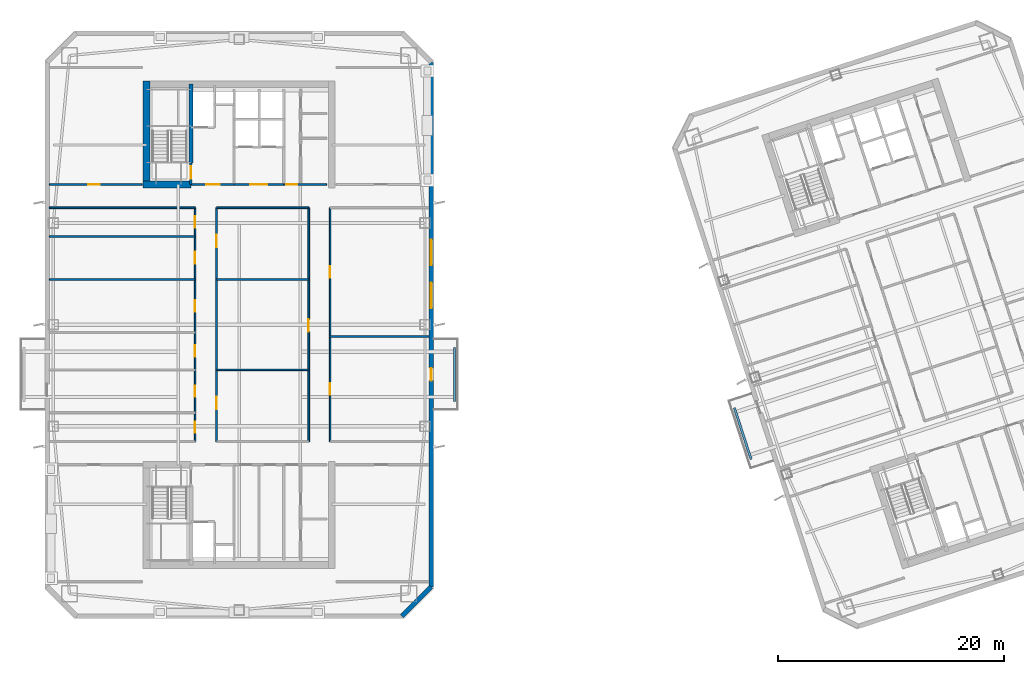
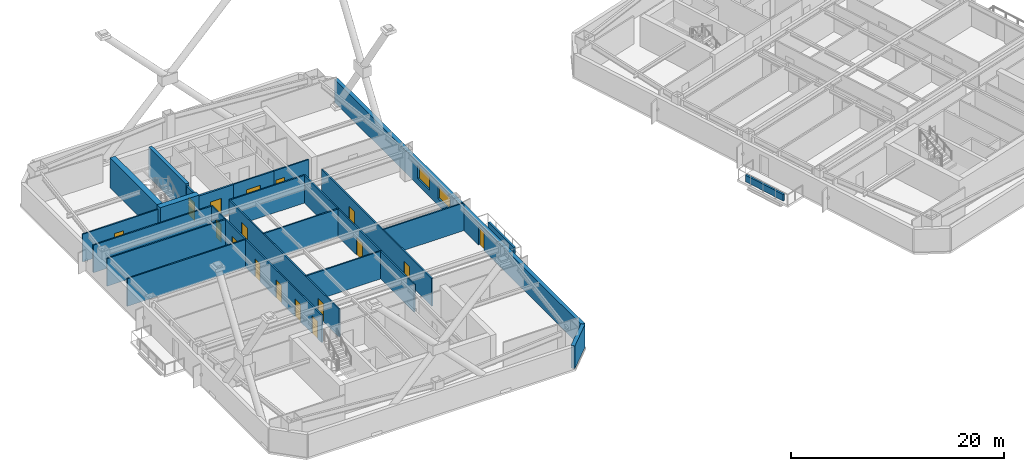
# One storey, part 7 of 18: 23 walls, 17 doors, 2 windows, 19 openings.
"""IFC4 building model written with IfcOpenShell, lengths in metres."""

import ifcopenshell
import ifcopenshell.guid

model = None  # the IFC model being written
_history = None  # IfcOwnerHistory: only IFC2X3 demands one
_inside = {}  # id of a spatial element -> (the spatial element, [elements in it])
_under = {}  # id of a project, library or spatial element -> (it, [spatial elements below it])
_declared = {}  # id of a project -> (the project, [libraries it declares])
_typed = {}  # id of a type object -> (the type object, [elements of that type])
_made_of = {}  # id of a material, layer set ... -> (it, [elements and type objects made of it])


def new_model(schema):
    """Start an empty IFC model of exactly this schema.

    Asked for "IFC4X3", IfcOpenShell would pick the latest addendum, in which some entities
    have other attributes; the version numbers below select the first issue.
    IFC2X3 requires an IfcOwnerHistory on every rooted entity: one is made here for all.
    """
    global model, _history
    if schema == "IFC4X3":
        model = ifcopenshell.file(schema_version=(4, 3, 0, 0))
    else:
        model = ifcopenshell.file(schema=schema)
    _inside.clear()
    _under.clear()
    _declared.clear()
    _typed.clear()
    _made_of.clear()
    _history = None
    if model.schema == "IFC2X3":
        org = make("IfcOrganization", Name="unknown")
        user = make(
            "IfcPersonAndOrganization",
            ThePerson=make("IfcPerson", FamilyName="unknown"),
            TheOrganization=org,
        )
        app = make(
            "IfcApplication",
            ApplicationDeveloper=org,
            Version="unknown",
            ApplicationFullName="unknown",
            ApplicationIdentifier="unknown",
        )
        _history = make(
            "IfcOwnerHistory",
            OwningUser=user,
            OwningApplication=app,
            ChangeAction="ADDED",
            CreationDate=0,
        )
    return model


def make(cls, **values):
    """One entity of the class cls with the attributes given. An attribute that is None is left unset."""
    return model.create_entity(
        cls, **{name: value for name, value in values.items() if value is not None}
    )


def rooted(cls, **values):
    """An entity with a GlobalId (a new one), such as an element, a storey or a relation."""
    return make(cls, GlobalId=ifcopenshell.guid.new(), OwnerHistory=_history, **values)


def si_unit(unit_type, name, prefix=None):
    """IfcSIUnit, for example si_unit("LENGTHUNIT", "METRE", prefix="MILLI")."""
    return make("IfcSIUnit", UnitType=unit_type, Prefix=prefix, Name=name)


def assignment(units):
    """IfcUnitAssignment: the units of a project."""
    return None if units is None else make("IfcUnitAssignment", Units=units)


def point(xyz):
    """IfcCartesianPoint."""
    return None if xyz is None else make("IfcCartesianPoint", Coordinates=xyz)


def direction(xyz):
    """IfcDirection."""
    return None if xyz is None else make("IfcDirection", DirectionRatios=xyz)


def frame(location, z_axis=None, x_axis=None):
    """IfcAxis2Placement3D, a coordinate frame: its origin and axes. An axis left out is left unset."""
    return make(
        "IfcAxis2Placement3D",
        Location=point(location),
        Axis=direction(z_axis),
        RefDirection=direction(x_axis),
    )


def frame_2d(location, x_axis=None):
    """IfcAxis2Placement2D, a coordinate frame in the plane: its origin and x axis."""
    return make(
        "IfcAxis2Placement2D", Location=point(location), RefDirection=direction(x_axis)
    )


def origin():
    """The frame at (0, 0, 0) with its axes left unset."""
    return frame((0.0, 0.0, 0.0))


def place(relative_to, where):
    """IfcLocalPlacement: puts the frame where relative to a parent placement (None: the world)."""
    return make(
        "IfcLocalPlacement", PlacementRelTo=relative_to, RelativePlacement=where
    )


def context(
    kind, dimensions, precision=None, world=None, true_north=None, identifier=None
):
    """IfcGeometricRepresentationContext, for example the 3D "Model" context."""
    return make(
        "IfcGeometricRepresentationContext",
        ContextIdentifier=identifier,
        ContextType=kind,
        CoordinateSpaceDimension=dimensions,
        Precision=precision,
        WorldCoordinateSystem=world,
        TrueNorth=true_north,
    )


def subcontext(parent, identifier, kind, view, scale=None):
    """IfcGeometricRepresentationSubContext, for example "Body" below "Model"."""
    return make(
        "IfcGeometricRepresentationSubContext",
        ContextIdentifier=identifier,
        ContextType=kind,
        ParentContext=parent,
        TargetScale=scale,
        TargetView=view,
    )


def project(units=None, contexts=None):
    """IfcProject with its units and contexts."""
    return rooted(
        "IfcProject",
        Name="project",
        RepresentationContexts=contexts,
        UnitsInContext=assignment(units),
    )


def spatial(cls, under=None, at=None, **own):
    """A site, building, storey or space (cls), placed at a placement, below another one or the project."""
    s = rooted(cls, ObjectPlacement=at, **own)
    if under is not None:
        _under.setdefault(under.id(), (under, []))[1].append(s)
    return s


def profile(cls, at=None, kind="AREA", **sizes):
    """A parametric profile (cls). Its sizes go by their IFC names, for example OverallWidth=200.0."""
    return make(cls, ProfileType=kind, Position=at, **sizes)


def rectangle(**sizes):
    """IfcRectangleProfileDef."""
    return profile("IfcRectangleProfileDef", **sizes)


def extrude(swept, where, along, depth):
    """IfcExtrudedAreaSolid: the profile swept, set in the frame where, extruded along a direction by depth."""
    return make(
        "IfcExtrudedAreaSolid",
        SweptArea=swept,
        Position=where,
        ExtrudedDirection=direction(along),
        Depth=depth,
    )


def shape(context_of_items, identifier, shape_type, items):
    """IfcShapeRepresentation: the items that make up one representation, for example the "Body"."""
    return make(
        "IfcShapeRepresentation",
        ContextOfItems=context_of_items,
        RepresentationIdentifier=identifier,
        RepresentationType=shape_type,
        Items=items,
    )


def material(Name=None, Category=None):
    """IfcMaterial."""
    return make("IfcMaterial", Name=Name, Category=Category)


def layer(
    of_material, thickness, ventilated=None, Name=None, Category=None, Priority=None
):
    """IfcMaterialLayer: one layer of a wall or slab, of a material (None: an air gap)."""
    return make(
        "IfcMaterialLayer",
        Material=of_material,
        LayerThickness=thickness,
        IsVentilated=ventilated,
        Name=Name,
        Category=Category,
        Priority=Priority,
    )


def layer_set(layers, Name=None):
    """IfcMaterialLayerSet."""
    return make("IfcMaterialLayerSet", MaterialLayers=layers, LayerSetName=Name)


def made_of(thing, what):
    """Note that an element or type object is made of a material, layer set ...; save() writes the relation."""
    if what is not None:
        _made_of.setdefault(what.id(), (what, []))[1].append(thing)
    return thing


def type_object(cls, material=None, **own):
    """A type object (cls), such as IfcWallType, which elements share."""
    return made_of(rooted(cls, **own), material)


def element(
    cls,
    number,
    at=None,
    inside=None,
    cuts=None,
    type_object=None,
    material=None,
    context=None,
    identifier="Body",
    shape_type=None,
    held_by="IfcProductDefinitionShape",
    body=None,
    shapes=None,
    **own,
):
    """One element of the class cls, such as IfcWall. Its Tag is "e" and its number.

    at: its placement. inside: the storey or other place that contains it. cuts: it is an
    opening in that element (IfcRelVoidsElement). A single representation is given by context,
    identifier, shape_type and body (its items); several are given by shapes. held_by: the class
    of the entity that holds the representations. save() writes the other relations.
    """
    e = rooted(cls, Tag="e%d" % number, ObjectPlacement=at, **own)
    if body is not None:
        shapes = [shape(context, identifier, shape_type, body)]
    if shapes is not None:
        e.Representation = make(held_by, Representations=shapes)
    if inside is not None:
        _inside.setdefault(inside.id(), (inside, []))[1].append(e)
    if cuts is not None:
        rooted(
            "IfcRelVoidsElement", RelatingBuildingElement=cuts, RelatedOpeningElement=e
        )
    if type_object is not None:
        _typed.setdefault(type_object.id(), (type_object, []))[1].append(e)
    return made_of(e, material)


def fill(opening, filler):
    """IfcRelFillsElement: the door or window that sits in an opening."""
    return rooted(
        "IfcRelFillsElement",
        RelatingOpeningElement=opening,
        RelatedBuildingElement=filler,
    )


def aggregate(whole, parts):
    """IfcRelAggregates: a whole, such as a stair, and the parts it consists of."""
    return rooted("IfcRelAggregates", RelatingObject=whole, RelatedObjects=parts)


def save(model, path):
    """Write the relations noted so far, then the file.

    IfcRelAggregates (storeys below a building ...), IfcRelContainedInSpatialStructure (elements
    in a storey), IfcRelDefinesByType, IfcRelAssociatesMaterial and IfcRelDeclares: one each for
    every whole, place, type object, material and project.
    """
    for whole, parts in _under.values():
        aggregate(whole, parts)
    for where, things in _inside.values():
        rooted(
            "IfcRelContainedInSpatialStructure",
            RelatedElements=things,
            RelatingStructure=where,
        )
    for kind, things in _typed.values():
        rooted("IfcRelDefinesByType", RelatedObjects=things, RelatingType=kind)
    for what, things in _made_of.values():
        rooted("IfcRelAssociatesMaterial", RelatedObjects=things, RelatingMaterial=what)
    for by, libraries in _declared.values():
        rooted("IfcRelDeclares", RelatingContext=by, RelatedDefinitions=libraries)
    model.write(path)


model = new_model("IFC4")

# Units and contexts
model_context = context("Model", 3, precision=1e-05, world=origin(), true_north=direction((0.0, 1.0)))
body_context = subcontext(model_context, "Body", "Model", "MODEL_VIEW")
ifc_project = project(units=[si_unit("LENGTHUNIT", "METRE"), si_unit("AREAUNIT", "SQUARE_METRE"), si_unit("VOLUMEUNIT", "CUBIC_METRE"), si_unit("PLANEANGLEUNIT", "RADIAN"), si_unit("MASSUNIT", "GRAM", prefix="KILO")], contexts=[model_context])

# Site, building, storey
site_placement = place(None, origin())
site = spatial("IfcSite", under=ifc_project, at=site_placement, CompositionType="ELEMENT")
building_placement = place(site_placement, origin())
building = spatial("IfcBuilding", under=site, at=building_placement, Name="Qiaolan Cultural Towers", CompositionType="ELEMENT")
storey_placement = place(building_placement, frame((0.0, 0.0, 173.64990234375)))
storey = spatial("IfcBuildingStorey", under=building, at=storey_placement, Name="L46", CompositionType="ELEMENT", Elevation=173.64990234375)

# Walls
ifc_material_1 = material(Name="Concrete C50", Category="concrete")
ifc_layer_1 = layer(ifc_material_1, 0.35009765625)
ifc_layer_set_1 = layer_set([ifc_layer_1], Name="Concrete C50")
wall_type_1 = type_object("IfcWallType", Name="WL-CORE-350", PredefinedType="SHEAR", material=ifc_layer_set_1)
wall_1_placement = place(storey_placement, frame((25.719970703125, 48.300048828125, 0.0), z_axis=(0.0, 0.0, 1.0), x_axis=(0.0, 1.0, 0.0)))
element("IfcWall", 1, at=wall_1_placement, inside=storey, type_object=wall_type_1, Name="L46 T1-CN Stair Core Dividing Web", PredefinedType="SHEAR", context=body_context, shape_type="SweptSolid", body=[
    extrude(rectangle(XDim=6.97998046875, YDim=0.35009765625, at=frame_2d((3.489990234375, 0.0))), origin(), (0.0, 0.0, 1.0), 3.4501953125),
])
ifc_material_2 = material(Name="Concrete C55", Category="concrete")
ifc_layer_2 = layer(ifc_material_2, 0.60009765625)
ifc_layer_set_2 = layer_set([ifc_layer_2], Name="Concrete C55")
wall_type_2 = type_object("IfcWallType", Name="WL-CORE-600", PredefinedType="SHEAR", material=ifc_layer_set_2)
wall_2_placement = place(storey_placement, frame((21.800048828125, 46.10009765625, 0.0), z_axis=(0.0, 0.0, 1.0), x_axis=(0.0, 1.0, 0.0)))
element("IfcWall", 2, at=wall_2_placement, inside=storey, type_object=wall_type_2, Name="L46 T1-CN West Core Shear Wall", PredefinedType="SHEAR", context=body_context, shape_type="SweptSolid", body=[
    extrude(rectangle(XDim=9.47998046875, YDim=0.60009765625, at=frame_2d((4.739990234375, 0.0))), origin(), (0.0, 0.0, 1.0), 3.4501953125),
])
wall_3_placement = place(storey_placement, frame((21.5, 46.39990234375, 0.0), z_axis=(0.0, 0.0, 1.0), x_axis=(1.0, 0.0, 0.0)))
element("IfcWall", 3, at=wall_3_placement, inside=storey, type_object=wall_type_2, Name="L46 T1-CN Stair Front Shear Wall", PredefinedType="SHEAR", context=body_context, shape_type="SweptSolid", body=[
    extrude(rectangle(XDim=4.219970703125, YDim=0.60009765625, at=frame_2d((2.10986328125, 0.0))), origin(), (0.0, 0.0, 1.0), 3.4501953125),
])

# Wall, openings, door, windows
ifc_material_3 = material(Name="Precast Concrete C50 Honed Stone Pier", Category="masonry")
ifc_layer_3 = layer(ifc_material_3, 0.39990234375)
ifc_layer_set_3 = layer_set([ifc_layer_3], Name="Precast Concrete C50 Honed Stone Pier")
wall_type_3 = type_object("IfcWallType", Name="WL-EXT-PIER-400", PredefinedType="SOLIDWALL", material=ifc_layer_set_3)
wall_4_placement = place(storey_placement, frame((47.0, 57.199951171875, 0.0), z_axis=(0.0, 0.0, 1.0), x_axis=(0.0, -1.0, 0.0)))
wall_4 = element("IfcWall", 4, at=wall_4_placement, inside=storey, type_object=wall_type_3, Name="L46 West Tower Precast Pier Facade Wall F5", PredefinedType="SOLIDWALL", context=body_context, shape_type="SweptSolid", body=[
    extrude(rectangle(XDim=46.39990234375, YDim=0.39990234375, at=frame_2d((23.199951171875, 0.0))), origin(), (0.0, 0.0, 1.0), 2.610107421875),
])
opening_1_placement = place(wall_4_placement, frame((19.47509765625, 0.0, 0.75)))
opening_1 = element("IfcOpeningElement", 5, at=opening_1_placement, cuts=wall_4, Name="Opening W-03", PredefinedType="OPENING", context=body_context, shape_type="SweptSolid", body=[
    extrude(rectangle(XDim=2.25, YDim=1.4599609375, at=frame_2d((1.125, 0.72998046875))), frame((0.0, 0.2099609375, 0.0), z_axis=(0.0, -1.0, 0.0), x_axis=(1.0, 0.0, 0.0)), (0.0, 0.0, 1.0), 0.419921875),
])
opening_2_placement = place(wall_4_placement, frame((15.675048828125, 0.0, 0.75)))
opening_2 = element("IfcOpeningElement", 6, at=opening_2_placement, cuts=wall_4, Name="Opening W-03", PredefinedType="OPENING", context=body_context, shape_type="SweptSolid", body=[
    extrude(rectangle(XDim=2.25, YDim=1.4599609375, at=frame_2d((1.125, 0.72998046875))), frame((0.0, 0.2099609375, 0.0), z_axis=(0.0, -1.0, 0.0), x_axis=(1.0, 0.0, 0.0)), (0.0, 0.0, 1.0), 0.419921875),
])
opening_3_placement = place(wall_4_placement, frame((27.050048828125, 0.0, 0.0)))
opening_3 = element("IfcOpeningElement", 7, at=opening_3_placement, cuts=wall_4, Name="Opening BD-01", PredefinedType="OPENING", context=body_context, shape_type="SweptSolid", body=[
    extrude(rectangle(XDim=1.10009765625, YDim=2.14990234375, at=frame_2d((0.550048828125, 1.074951171875))), frame((0.0, 0.2099609375, 0.0), z_axis=(0.0, -1.0, 0.0), x_axis=(1.0, 0.0, 0.0)), (0.0, 0.0, 1.0), 0.419921875),
])
ifc_material_4 = material(Name="Thermally Broken Aluminium Glazed Terrace Door", Category="aluminium")
door_type_1 = type_object("IfcDoorType", Name="DR-BAL-1100", OperationType="NOTDEFINED", PredefinedType="DOOR", material=ifc_material_4)
door_1_placement = place(opening_3_placement, origin())
door_1 = element("IfcDoor", 8, at=door_1_placement, inside=storey, type_object=door_type_1, Name="L46 T1 East Tree Balcony Door", OperationType="SINGLE_SWING_RIGHT", OverallHeight=2.14990234375, OverallWidth=1.10009765625, PredefinedType="DOOR", context=body_context, shape_type="SweptSolid", body=[
    extrude(rectangle(XDim=1.10009765625, YDim=2.14990234375, at=frame_2d((0.550048828125, 1.074951171875))), frame((0.0, 0.02490234375, 0.0), z_axis=(0.0, -1.0, 0.0), x_axis=(1.0, 0.0, 0.0)), (0.0, 0.0, 1.0), 0.050048828125),
])
fill(opening_3, door_1)
ifc_material_5 = material(Name="Thermally Broken Aluminium Triple Low-E Glazing", Category="aluminium")
window_type = type_object("IfcWindowType", Name="WN-CHIC-2250", PartitioningType="SINGLE_PANEL", PredefinedType="WINDOW", material=ifc_material_5)
window_1_placement = place(opening_1_placement, origin())
window_1 = element("IfcWindow", 9, at=window_1_placement, inside=storey, type_object=window_type, Name="L46 T1 E Chicago Bay Window 1", OverallHeight=1.4599609375, OverallWidth=2.25, PartitioningType="TRIPLE_PANEL_VERTICAL", PredefinedType="WINDOW", context=body_context, shape_type="SweptSolid", body=[
    extrude(rectangle(XDim=2.25, YDim=1.4599609375, at=frame_2d((1.125, 0.72998046875))), frame((0.0, 0.030029296875, 0.0), z_axis=(0.0, -1.0, 0.0), x_axis=(1.0, 0.0, 0.0)), (0.0, 0.0, 1.0), 0.06005859375),
])
fill(opening_1, window_1)
window_2_placement = place(opening_2_placement, origin())
window_2 = element("IfcWindow", 10, at=window_2_placement, inside=storey, type_object=window_type, Name="L46 T1 E Chicago Bay Window 2", OverallHeight=1.4599609375, OverallWidth=2.25, PartitioningType="TRIPLE_PANEL_VERTICAL", PredefinedType="WINDOW", context=body_context, shape_type="SweptSolid", body=[
    extrude(rectangle(XDim=2.25, YDim=1.4599609375, at=frame_2d((1.125, 0.72998046875))), frame((0.0, 0.030029296875, 0.0), z_axis=(0.0, -1.0, 0.0), x_axis=(1.0, 0.0, 0.0)), (0.0, 0.0, 1.0), 0.06005859375),
])
fill(opening_2, window_2)

# Wall
wall_5_placement = place(storey_placement, frame((47.0, 10.800048828125, 0.0), z_axis=(0.0, 0.0, 1.0), x_axis=(-0.707106781187, -0.707106781187, 0.0)))
element("IfcWall", 11, at=wall_5_placement, inside=storey, type_object=wall_type_3, Name="L46 West Tower Precast Pier Facade Wall F6", PredefinedType="SOLIDWALL", context=body_context, shape_type="SweptSolid", body=[
    extrude(rectangle(XDim=3.677001953125, YDim=0.39990234375, at=frame_2d((1.83837890625, 0.0))), origin(), (0.0, 0.0, 1.0), 2.610107421875),
])

# Wall, opening, door
ifc_material_6 = material(Name="Concrete C35 Fire Wall", Category="concrete")
ifc_layer_4 = layer(ifc_material_6, 0.199951171875)
ifc_layer_set_4 = layer_set([ifc_layer_4], Name="Concrete C35 Fire Wall")
wall_type_4 = type_object("IfcWallType", Name="WL-FIRE-200", PredefinedType="PARTITIONING", material=ifc_layer_set_4)
wall_6_placement = place(storey_placement, frame((25.719970703125, 46.39990234375, 0.0), z_axis=(0.0, 0.0, 1.0), x_axis=(0.0, 1.0, 0.0)))
wall_6 = element("IfcWall", 12, at=wall_6_placement, inside=storey, type_object=wall_type_4, Name="L46 T1-CN Smokeproof Stair Entry Wall", PredefinedType="PARTITIONING", context=body_context, shape_type="SweptSolid", body=[
    extrude(rectangle(XDim=1.900146484375, YDim=0.199951171875, at=frame_2d((0.9501953125, 0.0))), origin(), (0.0, 0.0, 1.0), 3.175048828125),
])
opening_4_placement = place(wall_6_placement, frame((0.52001953125, 0.0, 0.0)))
opening_4 = element("IfcOpeningElement", 13, at=opening_4_placement, cuts=wall_6, Name="Opening FD-04", PredefinedType="OPENING", context=body_context, shape_type="SweptSolid", body=[
    extrude(rectangle(XDim=1.10009765625, YDim=2.050048828125, at=frame_2d((0.550048828125, 1.02490234375))), frame((0.0, 0.10986328125, 0.0), z_axis=(0.0, -1.0, 0.0), x_axis=(1.0, 0.0, 0.0)), (0.0, 0.0, 1.0), 0.219970703125),
])
ifc_material_7 = material(Name="Galvanized Steel Command Fire Door", Category="steel")
door_type_2 = type_object("IfcDoorType", Name="DR-FD90-1100", OperationType="NOTDEFINED", PredefinedType="DOOR", material=ifc_material_7)
door_2_placement = place(opening_4_placement, origin())
door_2 = element("IfcDoor", 14, at=door_2_placement, inside=storey, type_object=door_type_2, Name="L46 ST-W2 Smokeproof Stair Fire Door", OperationType="SINGLE_SWING_LEFT", OverallHeight=2.050048828125, OverallWidth=1.10009765625, PredefinedType="DOOR", context=body_context, shape_type="SweptSolid", body=[
    extrude(rectangle(XDim=1.10009765625, YDim=2.050048828125, at=frame_2d((0.550048828125, 1.02490234375))), frame((0.0, 0.02490234375, 0.0), z_axis=(0.0, -1.0, 0.0), x_axis=(1.0, 0.0, 0.0)), (0.0, 0.0, 1.0), 0.050048828125),
])
fill(opening_4, door_2)

wall_7_placement = place(storey_placement, frame((25.719970703125, 46.39990234375, 0.0), z_axis=(0.0, 0.0, 1.0), x_axis=(1.0, 0.0, 0.0)))
wall_7 = element("IfcWall", 15, at=wall_7_placement, inside=storey, type_object=wall_type_4, Name="L46 T1-CN Firefighting Lobby Front Wall", PredefinedType="PARTITIONING", context=body_context, shape_type="SweptSolid", body=[
    extrude(rectangle(XDim=3.830078125, YDim=0.199951171875, at=frame_2d((1.9150390625, 0.0))), origin(), (0.0, 0.0, 1.0), 3.175048828125),
])
opening_5_placement = place(wall_7_placement, frame((1.35009765625, 0.0, 0.0)))
opening_5 = element("IfcOpeningElement", 16, at=opening_5_placement, cuts=wall_7, Name="Opening FD-03", PredefinedType="OPENING", context=body_context, shape_type="SweptSolid", body=[
    extrude(rectangle(XDim=1.199951171875, YDim=2.050048828125, at=frame_2d((0.60009765625, 1.02490234375))), frame((0.0, 0.10986328125, 0.0), z_axis=(0.0, -1.0, 0.0), x_axis=(1.0, 0.0, 0.0)), (0.0, 0.0, 1.0), 0.219970703125),
])
ifc_material_8 = material(Name="Galvanized Steel Smokeproof Lobby Fire Door", Category="steel")
door_type_3 = type_object("IfcDoorType", Name="DR-FD90-1200", OperationType="NOTDEFINED", PredefinedType="DOOR", material=ifc_material_8)
door_3_placement = place(opening_5_placement, origin())
door_3 = element("IfcDoor", 17, at=door_3_placement, inside=storey, type_object=door_type_3, Name="L46 FFL-W2 Firefighting Lobby Fire Door", OperationType="SINGLE_SWING_LEFT", OverallHeight=2.050048828125, OverallWidth=1.199951171875, PredefinedType="DOOR", context=body_context, shape_type="SweptSolid", body=[
    extrude(rectangle(XDim=1.199951171875, YDim=2.050048828125, at=frame_2d((0.60009765625, 1.02490234375))), frame((0.0, 0.02490234375, 0.0), z_axis=(0.0, -1.0, 0.0), x_axis=(1.0, 0.0, 0.0)), (0.0, 0.0, 1.0), 0.050048828125),
])
fill(opening_5, door_3)

ifc_material_9 = material(Name="Autoclaved Aerated Concrete Block B06", Category="concrete")
ifc_layer_5 = layer(ifc_material_9, 0.14990234375)
ifc_layer_set_5 = layer_set([ifc_layer_5], Name="Autoclaved Aerated Concrete Block B06")
wall_type_5 = type_object("IfcWallType", Name="WL-PART-150", PredefinedType="PARTITIONING", material=ifc_layer_set_5)
wall_8_placement = place(storey_placement, frame((29.550048828125, 46.39990234375, 0.0), z_axis=(0.0, 0.0, 1.0), x_axis=(1.0, 0.0, 0.0)))
wall_8 = element("IfcWall", 18, at=wall_8_placement, inside=storey, type_object=wall_type_5, Name="L46 T1-CN Passenger Lift Lobby Front Wall", PredefinedType="PARTITIONING", context=body_context, shape_type="SweptSolid", body=[
    extrude(rectangle(XDim=4.39990234375, YDim=0.14990234375, at=frame_2d((2.199951171875, 0.0))), origin(), (0.0, 0.0, 1.0), 3.175048828125),
])
opening_6_placement = place(wall_8_placement, frame((1.449951171875, 0.0, 0.0)))
opening_6 = element("IfcOpeningElement", 19, at=opening_6_placement, cuts=wall_8, Name="Opening FD-05", PredefinedType="OPENING", context=body_context, shape_type="SweptSolid", body=[
    extrude(rectangle(XDim=1.5, YDim=2.050048828125, at=frame_2d((0.75, 1.02490234375))), frame((0.0, 0.0849609375, 0.0), z_axis=(0.0, -1.0, 0.0), x_axis=(1.0, 0.0, 0.0)), (0.0, 0.0, 1.0), 0.169921875),
])
ifc_material_10 = material(Name="Painted Steel Lift Lobby Fire Door", Category="steel")
door_type_4 = type_object("IfcDoorType", Name="DR-FD60-1500", OperationType="NOTDEFINED", PredefinedType="DOOR", material=ifc_material_10)
door_4_placement = place(opening_6_placement, origin())
door_4 = element("IfcDoor", 20, at=door_4_placement, inside=storey, type_object=door_type_4, Name="L46 Passenger Lift Lobby Entrance", OperationType="SINGLE_SWING_LEFT", OverallHeight=2.050048828125, OverallWidth=1.5, PredefinedType="DOOR", context=body_context, shape_type="SweptSolid", body=[
    extrude(rectangle(XDim=1.5, YDim=2.050048828125, at=frame_2d((0.75, 1.02490234375))), frame((0.0, 0.02490234375, 0.0), z_axis=(0.0, -1.0, 0.0), x_axis=(1.0, 0.0, 0.0)), (0.0, 0.0, 1.0), 0.050048828125),
])
fill(opening_6, door_4)

wall_9_placement = place(storey_placement, frame((33.949951171875, 46.39990234375, 0.0), z_axis=(0.0, 0.0, 1.0), x_axis=(1.0, 0.0, 0.0)))
wall_9 = element("IfcWall", 21, at=wall_9_placement, inside=storey, type_object=wall_type_5, Name="L46 T1-CN Sanitary Core Front Wall", PredefinedType="PARTITIONING", context=body_context, shape_type="SweptSolid", body=[
    extrude(rectangle(XDim=3.800048828125, YDim=0.14990234375, at=frame_2d((1.89990234375, 0.0))), origin(), (0.0, 0.0, 1.0), 3.175048828125),
])
opening_7_placement = place(wall_9_placement, frame((0.219970703125, 0.0, 0.0)))
opening_7 = element("IfcOpeningElement", 22, at=opening_7_placement, cuts=wall_9, Name="Opening ID-05", PredefinedType="OPENING", context=body_context, shape_type="SweptSolid", body=[
    extrude(rectangle(XDim=0.949951171875, YDim=2.050048828125, at=frame_2d((0.47509765625, 1.02490234375))), frame((0.0, 0.0849609375, 0.0), z_axis=(0.0, -1.0, 0.0), x_axis=(1.0, 0.0, 0.0)), (0.0, 0.0, 1.0), 0.169921875),
])
ifc_material_11 = material(Name="Fire-Rated Laminate Accessible Core Door", Category="timber")
door_type_5 = type_object("IfcDoorType", Name="DR-INT-950", OperationType="NOTDEFINED", PredefinedType="DOOR", material=ifc_material_11)
door_5_placement = place(opening_7_placement, origin())
door_5 = element("IfcDoor", 23, at=door_5_placement, inside=storey, type_object=door_type_5, Name="L46 Sanitary Vestibule Door", OperationType="SINGLE_SWING_LEFT", OverallHeight=2.050048828125, OverallWidth=0.949951171875, PredefinedType="DOOR", context=body_context, shape_type="SweptSolid", body=[
    extrude(rectangle(XDim=0.949951171875, YDim=2.050048828125, at=frame_2d((0.47509765625, 1.02490234375))), frame((0.0, 0.02490234375, 0.0), z_axis=(0.0, -1.0, 0.0), x_axis=(1.0, 0.0, 0.0)), (0.0, 0.0, 1.0), 0.050048828125),
])
fill(opening_7, door_5)

wall_10_placement = place(storey_placement, frame((13.199951171875, 46.39990234375, 0.0), z_axis=(0.0, 0.0, 1.0), x_axis=(1.0, 0.0, 0.0)))
wall_10 = element("IfcWall", 24, at=wall_10_placement, inside=storey, type_object=wall_type_5, Name="L46 T1 Flank Front FLK-NW", PredefinedType="PARTITIONING", context=body_context, shape_type="SweptSolid", body=[
    extrude(rectangle(XDim=8.199951171875, YDim=0.14990234375, at=frame_2d((4.10009765625, 0.0))), origin(), (0.0, 0.0, 1.0), 3.175048828125),
])
opening_8_placement = place(wall_10_placement, frame((3.444091796875, 0.0, 0.0)))
opening_8 = element("IfcOpeningElement", 25, at=opening_8_placement, cuts=wall_10, Name="Opening ID-04", PredefinedType="OPENING", context=body_context, shape_type="SweptSolid", body=[
    extrude(rectangle(XDim=1.0, YDim=2.050048828125, at=frame_2d((0.5, 1.02490234375))), frame((0.0, 0.0849609375, 0.0), z_axis=(0.0, -1.0, 0.0), x_axis=(1.0, 0.0, 0.0)), (0.0, 0.0, 1.0), 0.169921875),
])
ifc_material_12 = material(Name="Oak Veneer Acoustic Office Door", Category="timber")
door_type_6 = type_object("IfcDoorType", Name="DR-INT-1000", OperationType="NOTDEFINED", PredefinedType="DOOR", material=ifc_material_12)
door_6_placement = place(opening_8_placement, origin())
door_6 = element("IfcDoor", 26, at=door_6_placement, inside=storey, type_object=door_type_6, Name="L46 T1 Corner Studio Door", OperationType="SINGLE_SWING_LEFT", OverallHeight=2.050048828125, OverallWidth=1.0, PredefinedType="DOOR", context=body_context, shape_type="SweptSolid", body=[
    extrude(rectangle(XDim=1.0, YDim=2.050048828125, at=frame_2d((0.5, 1.02490234375))), frame((0.0, 0.02490234375, 0.0), z_axis=(0.0, -1.0, 0.0), x_axis=(1.0, 0.0, 0.0)), (0.0, 0.0, 1.0), 0.050048828125),
])
fill(opening_8, door_6)

# Walls
wall_11_placement = place(storey_placement, frame((13.199951171875, 44.35009765625, 0.0), z_axis=(0.0, 0.0, 1.0), x_axis=(1.0, 0.0, 0.0)))
element("IfcWall", 27, at=wall_11_placement, inside=storey, type_object=wall_type_5, Name="L46 T1 Interior Wall", PredefinedType="PARTITIONING", context=body_context, shape_type="SweptSolid", body=[
    extrude(rectangle(XDim=12.900146484375, YDim=0.14990234375, at=frame_2d((6.4501953125, 0.0))), origin(), (0.0, 0.0, 1.0), 3.175048828125),
])
wall_12_placement = place(storey_placement, frame((28.0, 44.35009765625, 0.0), z_axis=(0.0, 0.0, 1.0), x_axis=(1.0, 0.0, 0.0)))
element("IfcWall", 28, at=wall_12_placement, inside=storey, type_object=wall_type_5, Name="L46 T1 Interior Wall", PredefinedType="PARTITIONING", context=body_context, shape_type="SweptSolid", body=[
    extrude(rectangle(XDim=8.14990234375, YDim=0.14990234375, at=frame_2d((4.074951171875, 0.0))), origin(), (0.0, 0.0, 1.0), 3.175048828125),
])

# Wall, openings, doors
wall_13_placement = place(storey_placement, frame((26.10009765625, 23.64990234375, 0.0), z_axis=(0.0, 0.0, 1.0), x_axis=(0.0, 1.0, 0.0)))
wall_13 = element("IfcWall", 29, at=wall_13_placement, inside=storey, type_object=wall_type_5, Name="L46 T1 Interior Wall", PredefinedType="PARTITIONING", context=body_context, shape_type="SweptSolid", body=[
    extrude(rectangle(XDim=20.7001953125, YDim=0.14990234375, at=frame_2d((10.35009765625, 0.0))), origin(), (0.0, 0.0, 1.0), 3.175048828125),
])
opening_9_placement = place(wall_13_placement, frame((0.77490234375, 0.0, 0.0)))
opening_9 = element("IfcOpeningElement", 30, at=opening_9_placement, cuts=wall_13, Name="Opening ID-04", PredefinedType="OPENING", context=body_context, shape_type="SweptSolid", body=[
    extrude(rectangle(XDim=1.0, YDim=2.050048828125, at=frame_2d((0.5, 1.02490234375))), frame((0.0, 0.0849609375, 0.0), z_axis=(0.0, -1.0, 0.0), x_axis=(1.0, 0.0, 0.0)), (0.0, 0.0, 1.0), 0.169921875),
])
opening_10_placement = place(wall_13_placement, frame((3.949951171875, 0.0, 0.0)))
opening_10 = element("IfcOpeningElement", 31, at=opening_10_placement, cuts=wall_13, Name="Opening ID-04", PredefinedType="OPENING", context=body_context, shape_type="SweptSolid", body=[
    extrude(rectangle(XDim=1.0, YDim=2.050048828125, at=frame_2d((0.5, 1.02490234375))), frame((0.0, 0.0849609375, 0.0), z_axis=(0.0, -1.0, 0.0), x_axis=(1.0, 0.0, 0.0)), (0.0, 0.0, 1.0), 0.169921875),
])
opening_11_placement = place(wall_13_placement, frame((7.510009765625, 0.0, 0.0)))
opening_11 = element("IfcOpeningElement", 32, at=opening_11_placement, cuts=wall_13, Name="Opening ID-04", PredefinedType="OPENING", context=body_context, shape_type="SweptSolid", body=[
    extrude(rectangle(XDim=1.0, YDim=2.050048828125, at=frame_2d((0.5, 1.02490234375))), frame((0.0, 0.0849609375, 0.0), z_axis=(0.0, -1.0, 0.0), x_axis=(1.0, 0.0, 0.0)), (0.0, 0.0, 1.0), 0.169921875),
])
opening_12_placement = place(wall_13_placement, frame((11.510009765625, 0.0, 0.0)))
opening_12 = element("IfcOpeningElement", 33, at=opening_12_placement, cuts=wall_13, Name="Opening ID-04", PredefinedType="OPENING", context=body_context, shape_type="SweptSolid", body=[
    extrude(rectangle(XDim=1.0, YDim=2.050048828125, at=frame_2d((0.5, 1.02490234375))), frame((0.0, 0.0849609375, 0.0), z_axis=(0.0, -1.0, 0.0), x_axis=(1.0, 0.0, 0.0)), (0.0, 0.0, 1.0), 0.169921875),
])
opening_13_placement = place(wall_13_placement, frame((15.75, 0.0, 0.0)))
opening_13 = element("IfcOpeningElement", 34, at=opening_13_placement, cuts=wall_13, Name="Opening ID-07", PredefinedType="OPENING", context=body_context, shape_type="SweptSolid", body=[
    extrude(rectangle(XDim=1.050048828125, YDim=2.050048828125, at=frame_2d((0.52490234375, 1.02490234375))), frame((0.0, 0.0849609375, 0.0), z_axis=(0.0, -1.0, 0.0), x_axis=(1.0, 0.0, 0.0)), (0.0, 0.0, 1.0), 0.169921875),
])
opening_14_placement = place(wall_13_placement, frame((18.925048828125, 0.0, 0.0)))
opening_14 = element("IfcOpeningElement", 35, at=opening_14_placement, cuts=wall_13, Name="Opening ID-04", PredefinedType="OPENING", context=body_context, shape_type="SweptSolid", body=[
    extrude(rectangle(XDim=1.0, YDim=2.050048828125, at=frame_2d((0.5, 1.02490234375))), frame((0.0, 0.0849609375, 0.0), z_axis=(0.0, -1.0, 0.0), x_axis=(1.0, 0.0, 0.0)), (0.0, 0.0, 1.0), 0.169921875),
])
door_7_placement = place(opening_9_placement, origin())
door_7 = element("IfcDoor", 36, at=door_7_placement, inside=storey, type_object=door_type_6, Name="L46 T1 Digital Media Gallery Door", OperationType="SINGLE_SWING_LEFT", OverallHeight=2.050048828125, OverallWidth=1.0, PredefinedType="DOOR", context=body_context, shape_type="SweptSolid", body=[
    extrude(rectangle(XDim=1.0, YDim=2.050048828125, at=frame_2d((0.5, 1.02490234375))), frame((0.0, 0.02490234375, 0.0), z_axis=(0.0, -1.0, 0.0), x_axis=(1.0, 0.0, 0.0)), (0.0, 0.0, 1.0), 0.050048828125),
])
fill(opening_9, door_7)
door_8_placement = place(opening_10_placement, origin())
door_8 = element("IfcDoor", 37, at=door_8_placement, inside=storey, type_object=door_type_6, Name="L46 T1 Digital Media Gallery Door", OperationType="SINGLE_SWING_RIGHT", OverallHeight=2.050048828125, OverallWidth=1.0, PredefinedType="DOOR", context=body_context, shape_type="SweptSolid", body=[
    extrude(rectangle(XDim=1.0, YDim=2.050048828125, at=frame_2d((0.5, 1.02490234375))), frame((0.0, 0.02490234375, 0.0), z_axis=(0.0, -1.0, 0.0), x_axis=(1.0, 0.0, 0.0)), (0.0, 0.0, 1.0), 0.050048828125),
])
fill(opening_10, door_8)
door_9_placement = place(opening_11_placement, origin())
door_9 = element("IfcDoor", 38, at=door_9_placement, inside=storey, type_object=door_type_6, Name="L46 T1 Sound Kitchenette Door", OperationType="SINGLE_SWING_LEFT", OverallHeight=2.050048828125, OverallWidth=1.0, PredefinedType="DOOR", context=body_context, shape_type="SweptSolid", body=[
    extrude(rectangle(XDim=1.0, YDim=2.050048828125, at=frame_2d((0.5, 1.02490234375))), frame((0.0, 0.02490234375, 0.0), z_axis=(0.0, -1.0, 0.0), x_axis=(1.0, 0.0, 0.0)), (0.0, 0.0, 1.0), 0.050048828125),
])
fill(opening_11, door_9)
door_10_placement = place(opening_12_placement, origin())
door_10 = element("IfcDoor", 39, at=door_10_placement, inside=storey, type_object=door_type_6, Name="L46 T1 Sound Kitchenette Door", OperationType="SINGLE_SWING_RIGHT", OverallHeight=2.050048828125, OverallWidth=1.0, PredefinedType="DOOR", context=body_context, shape_type="SweptSolid", body=[
    extrude(rectangle(XDim=1.0, YDim=2.050048828125, at=frame_2d((0.5, 1.02490234375))), frame((0.0, 0.02490234375, 0.0), z_axis=(0.0, -1.0, 0.0), x_axis=(1.0, 0.0, 0.0)), (0.0, 0.0, 1.0), 0.050048828125),
])
fill(opening_12, door_10)
door_11_placement = place(opening_14_placement, origin())
door_11 = element("IfcDoor", 40, at=door_11_placement, inside=storey, type_object=door_type_6, Name="L46 T1 Media Bookshop Door", OperationType="SINGLE_SWING_RIGHT", OverallHeight=2.050048828125, OverallWidth=1.0, PredefinedType="DOOR", context=body_context, shape_type="SweptSolid", body=[
    extrude(rectangle(XDim=1.0, YDim=2.050048828125, at=frame_2d((0.5, 1.02490234375))), frame((0.0, 0.02490234375, 0.0), z_axis=(0.0, -1.0, 0.0), x_axis=(1.0, 0.0, 0.0)), (0.0, 0.0, 1.0), 0.050048828125),
])
fill(opening_14, door_11)
ifc_material_13 = material(Name="Oak Veneer Consultation Door", Category="timber")
door_type_7 = type_object("IfcDoorType", Name="DR-INT-1050", OperationType="NOTDEFINED", PredefinedType="DOOR", material=ifc_material_13)
door_12_placement = place(opening_13_placement, origin())
door_12 = element("IfcDoor", 41, at=door_12_placement, inside=storey, type_object=door_type_7, Name="L46 T1 Media Lounge Door", OperationType="SINGLE_SWING_LEFT", OverallHeight=2.050048828125, OverallWidth=1.050048828125, PredefinedType="DOOR", context=body_context, shape_type="SweptSolid", body=[
    extrude(rectangle(XDim=1.050048828125, YDim=2.050048828125, at=frame_2d((0.52490234375, 1.02490234375))), frame((0.0, 0.02490234375, 0.0), z_axis=(0.0, -1.0, 0.0), x_axis=(1.0, 0.0, 0.0)), (0.0, 0.0, 1.0), 0.050048828125),
])
fill(opening_13, door_12)

wall_14_placement = place(storey_placement, frame((28.0, 23.64990234375, 0.0), z_axis=(0.0, 0.0, 1.0), x_axis=(0.0, 1.0, 0.0)))
wall_14 = element("IfcWall", 42, at=wall_14_placement, inside=storey, type_object=wall_type_5, Name="L46 T1 Interior Wall", PredefinedType="PARTITIONING", context=body_context, shape_type="SweptSolid", body=[
    extrude(rectangle(XDim=20.7001953125, YDim=0.14990234375, at=frame_2d((10.35009765625, 0.0))), origin(), (0.0, 0.0, 1.0), 3.175048828125),
])
opening_15_placement = place(wall_14_placement, frame((2.857421875, 0.0, 0.0)))
opening_15 = element("IfcOpeningElement", 43, at=opening_15_placement, cuts=wall_14, Name="Opening ID-03", PredefinedType="OPENING", context=body_context, shape_type="SweptSolid", body=[
    extrude(rectangle(XDim=1.10009765625, YDim=2.050048828125, at=frame_2d((0.550048828125, 1.02490234375))), frame((0.0, 0.0849609375, 0.0), z_axis=(0.0, -1.0, 0.0), x_axis=(1.0, 0.0, 0.0)), (0.0, 0.0, 1.0), 0.169921875),
])
opening_16_placement = place(wall_14_placement, frame((17.20751953125, 0.0, 0.0)))
opening_16 = element("IfcOpeningElement", 44, at=opening_16_placement, cuts=wall_14, Name="Opening ID-03", PredefinedType="OPENING", context=body_context, shape_type="SweptSolid", body=[
    extrude(rectangle(XDim=1.10009765625, YDim=2.050048828125, at=frame_2d((0.550048828125, 1.02490234375))), frame((0.0, 0.0849609375, 0.0), z_axis=(0.0, -1.0, 0.0), x_axis=(1.0, 0.0, 0.0)), (0.0, 0.0, 1.0), 0.169921875),
])
ifc_material_14 = material(Name="Oak Veneer Solid-Core Boardroom Door", Category="timber")
door_type_8 = type_object("IfcDoorType", Name="DR-INT-1100", OperationType="NOTDEFINED", PredefinedType="DOOR", material=ifc_material_14)
door_13_placement = place(opening_15_placement, origin())
door_13 = element("IfcDoor", 45, at=door_13_placement, inside=storey, type_object=door_type_8, Name="L46 T1 Central Boardroom Door", OperationType="SINGLE_SWING_LEFT", OverallHeight=2.050048828125, OverallWidth=1.10009765625, PredefinedType="DOOR", context=body_context, shape_type="SweptSolid", body=[
    extrude(rectangle(XDim=1.10009765625, YDim=2.050048828125, at=frame_2d((0.550048828125, 1.02490234375))), frame((0.0, 0.02490234375, 0.0), z_axis=(0.0, -1.0, 0.0), x_axis=(1.0, 0.0, 0.0)), (0.0, 0.0, 1.0), 0.050048828125),
])
fill(opening_15, door_13)
door_14_placement = place(opening_16_placement, origin())
door_14 = element("IfcDoor", 46, at=door_14_placement, inside=storey, type_object=door_type_8, Name="L46 T1 Central Archive Room Door", OperationType="SINGLE_SWING_RIGHT", OverallHeight=2.050048828125, OverallWidth=1.10009765625, PredefinedType="DOOR", context=body_context, shape_type="SweptSolid", body=[
    extrude(rectangle(XDim=1.10009765625, YDim=2.050048828125, at=frame_2d((0.550048828125, 1.02490234375))), frame((0.0, 0.02490234375, 0.0), z_axis=(0.0, -1.0, 0.0), x_axis=(1.0, 0.0, 0.0)), (0.0, 0.0, 1.0), 0.050048828125),
])
fill(opening_16, door_14)

# Wall, opening, door
wall_15_placement = place(storey_placement, frame((36.14990234375, 23.64990234375, 0.0), z_axis=(0.0, 0.0, 1.0), x_axis=(0.0, 1.0, 0.0)))
wall_15 = element("IfcWall", 47, at=wall_15_placement, inside=storey, type_object=wall_type_5, Name="L46 T1 Interior Wall", PredefinedType="PARTITIONING", context=body_context, shape_type="SweptSolid", body=[
    extrude(rectangle(XDim=20.7001953125, YDim=0.14990234375, at=frame_2d((10.35009765625, 0.0))), origin(), (0.0, 0.0, 1.0), 3.175048828125),
])
opening_17_placement = place(wall_15_placement, frame((9.7099609375, 0.0, 0.0)))
opening_17 = element("IfcOpeningElement", 48, at=opening_17_placement, cuts=wall_15, Name="Opening ID-03", PredefinedType="OPENING", context=body_context, shape_type="SweptSolid", body=[
    extrude(rectangle(XDim=1.10009765625, YDim=2.050048828125, at=frame_2d((0.550048828125, 1.02490234375))), frame((0.0, 0.0849609375, 0.0), z_axis=(0.0, -1.0, 0.0), x_axis=(1.0, 0.0, 0.0)), (0.0, 0.0, 1.0), 0.169921875),
])
door_15_placement = place(opening_17_placement, origin())
door_15 = element("IfcDoor", 49, at=door_15_placement, inside=storey, type_object=door_type_8, Name="L46 T1 Central Study Salon Door", OperationType="SINGLE_SWING_LEFT", OverallHeight=2.050048828125, OverallWidth=1.10009765625, PredefinedType="DOOR", context=body_context, shape_type="SweptSolid", body=[
    extrude(rectangle(XDim=1.10009765625, YDim=2.050048828125, at=frame_2d((0.550048828125, 1.02490234375))), frame((0.0, 0.02490234375, 0.0), z_axis=(0.0, -1.0, 0.0), x_axis=(1.0, 0.0, 0.0)), (0.0, 0.0, 1.0), 0.050048828125),
])
fill(opening_17, door_15)

# Wall, openings, doors
wall_16_placement = place(storey_placement, frame((38.050048828125, 23.64990234375, 0.0), z_axis=(0.0, 0.0, 1.0), x_axis=(0.0, 1.0, 0.0)))
wall_16 = element("IfcWall", 50, at=wall_16_placement, inside=storey, type_object=wall_type_5, Name="L46 T1 Interior Wall", PredefinedType="PARTITIONING", context=body_context, shape_type="SweptSolid", body=[
    extrude(rectangle(XDim=20.7001953125, YDim=0.14990234375, at=frame_2d((10.35009765625, 0.0))), origin(), (0.0, 0.0, 1.0), 3.175048828125),
])
opening_18_placement = place(wall_16_placement, frame((4.1484375, 0.0, 0.0)))
opening_18 = element("IfcOpeningElement", 51, at=opening_18_placement, cuts=wall_16, Name="Opening ID-04", PredefinedType="OPENING", context=body_context, shape_type="SweptSolid", body=[
    extrude(rectangle(XDim=1.0, YDim=2.050048828125, at=frame_2d((0.5, 1.02490234375))), frame((0.0, 0.0849609375, 0.0), z_axis=(0.0, -1.0, 0.0), x_axis=(1.0, 0.0, 0.0)), (0.0, 0.0, 1.0), 0.169921875),
])
opening_19_placement = place(wall_16_placement, frame((14.49853515625, 0.0, 0.0)))
opening_19 = element("IfcOpeningElement", 52, at=opening_19_placement, cuts=wall_16, Name="Opening ID-04", PredefinedType="OPENING", context=body_context, shape_type="SweptSolid", body=[
    extrude(rectangle(XDim=1.0, YDim=2.050048828125, at=frame_2d((0.5, 1.02490234375))), frame((0.0, 0.0849609375, 0.0), z_axis=(0.0, -1.0, 0.0), x_axis=(1.0, 0.0, 0.0)), (0.0, 0.0, 1.0), 0.169921875),
])
door_16_placement = place(opening_18_placement, origin())
door_16 = element("IfcDoor", 53, at=door_16_placement, inside=storey, type_object=door_type_6, Name="L46 T1 Wellness & Rest Room Door", OperationType="SINGLE_SWING_RIGHT", OverallHeight=2.050048828125, OverallWidth=1.0, PredefinedType="DOOR", context=body_context, shape_type="SweptSolid", body=[
    extrude(rectangle(XDim=1.0, YDim=2.050048828125, at=frame_2d((0.5, 1.02490234375))), frame((0.0, 0.02490234375, 0.0), z_axis=(0.0, -1.0, 0.0), x_axis=(1.0, 0.0, 0.0)), (0.0, 0.0, 1.0), 0.050048828125),
])
fill(opening_18, door_16)
door_17_placement = place(opening_19_placement, origin())
door_17 = element("IfcDoor", 54, at=door_17_placement, inside=storey, type_object=door_type_6, Name="L46 T1 Media Studio Office Door", OperationType="SINGLE_SWING_LEFT", OverallHeight=2.050048828125, OverallWidth=1.0, PredefinedType="DOOR", context=body_context, shape_type="SweptSolid", body=[
    extrude(rectangle(XDim=1.0, YDim=2.050048828125, at=frame_2d((0.5, 1.02490234375))), frame((0.0, 0.02490234375, 0.0), z_axis=(0.0, -1.0, 0.0), x_axis=(1.0, 0.0, 0.0)), (0.0, 0.0, 1.0), 0.050048828125),
])
fill(opening_19, door_17)

# Walls
for number, where, z_axis, x_axis, name in (
    (55, (28.0, 30.0, 0.0), (0.0, 0.0, 1.0), (1.0, 0.0, 0.0), "L46 T1 Interior Wall"),
    (56, (28.0, 38.0, 0.0), (0.0, 0.0, 1.0), (1.0, 0.0, 0.0), "L46 T1 Interior Wall"),
):
    element("IfcWall", number, at=place(storey_placement, frame(where, z_axis=z_axis, x_axis=x_axis)), inside=storey, type_object=wall_type_5, Name=name, PredefinedType="PARTITIONING", context=body_context, shape_type="SweptSolid", body=[
        extrude(rectangle(XDim=8.14990234375, YDim=0.14990234375, at=frame_2d((4.074951171875, 0.0))), origin(), (0.0, 0.0, 1.0), 3.175048828125),
    ])
for number, where, z_axis, x_axis, name in (
    (57, (13.199951171875, 38.0, 0.0), (0.0, 0.0, 1.0), (1.0, 0.0, 0.0), "L46 T1 Interior Wall"),
    (58, (13.199951171875, 41.800048828125, 0.0), (0.0, 0.0, 1.0), (1.0, 0.0, 0.0), "L46 T1 Interior Wall"),
):
    element("IfcWall", number, at=place(storey_placement, frame(where, z_axis=z_axis, x_axis=x_axis)), inside=storey, type_object=wall_type_5, Name=name, PredefinedType="PARTITIONING", context=body_context, shape_type="SweptSolid", body=[
        extrude(rectangle(XDim=12.900146484375, YDim=0.14990234375, at=frame_2d((6.4501953125, 0.0))), origin(), (0.0, 0.0, 1.0), 3.175048828125),
    ])
wall_17_placement = place(storey_placement, frame((38.050048828125, 32.947021484375, 0.0), z_axis=(0.0, 0.0, 1.0), x_axis=(1.0, 0.0, 0.0)))
element("IfcWall", 59, at=wall_17_placement, inside=storey, type_object=wall_type_5, Name="L46 T1 Interior Wall", PredefinedType="PARTITIONING", context=body_context, shape_type="SweptSolid", body=[
    extrude(rectangle(XDim=8.75, YDim=0.14990234375, at=frame_2d((4.375, 0.0))), origin(), (0.0, 0.0, 1.0), 3.175048828125),
])
ifc_material_15 = material(Name="Precast Concrete C45 Tree Planter Upstand", Category="concrete")
ifc_layer_6 = layer(ifc_material_15, 0.199951171875)
ifc_layer_set_6 = layer_set([ifc_layer_6], Name="Precast Concrete C45 Tree Planter Upstand")
wall_type_6 = type_object("IfcWallType", Name="WL-PLANTER-200", PredefinedType="PARAPET", material=ifc_layer_set_6)
for number, where, z_axis, x_axis, name in (
    (60, (49.050048828125, 27.199951171875, 0.0), (0.0, 0.0, 1.0), (0.0, 1.0, 0.0), "L46 T1 Tree Balcony Soil Planter Box E"),
    (61, (75.315185546875, 22.07861328125, 0.0), (0.0, 0.0, 1.0), (-0.309032019345, 0.951051634255, 0.0), "L46 T2 Tree Balcony Soil Planter Box W"),
):
    element("IfcWall", number, at=place(storey_placement, frame(where, z_axis=z_axis, x_axis=x_axis)), inside=storey, type_object=wall_type_6, Name=name, PredefinedType="PARAPET", context=body_context, shape_type="SweptSolid", body=[
        extrude(rectangle(XDim=4.800048828125, YDim=0.199951171875, at=frame_2d((2.39990234375, 0.0))), origin(), (0.0, 0.0, 1.0), 0.75),
    ])

save(model, "model.ifc")
